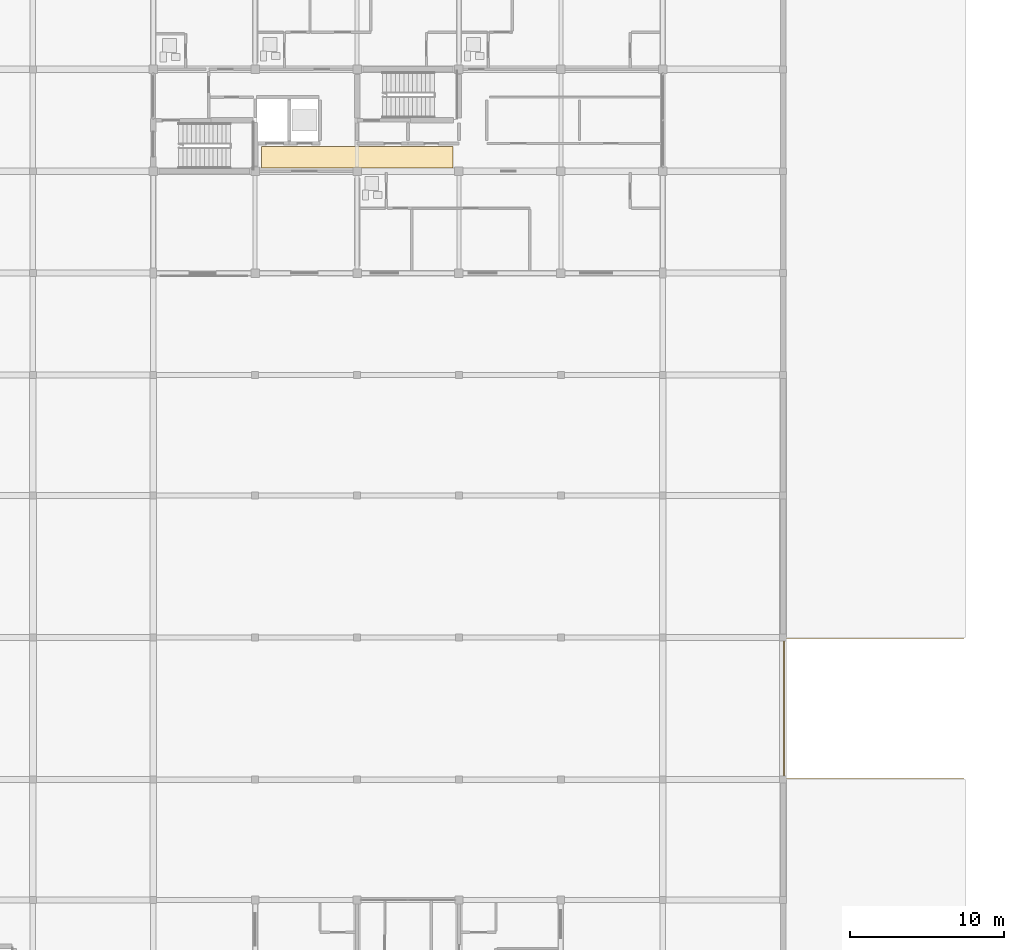
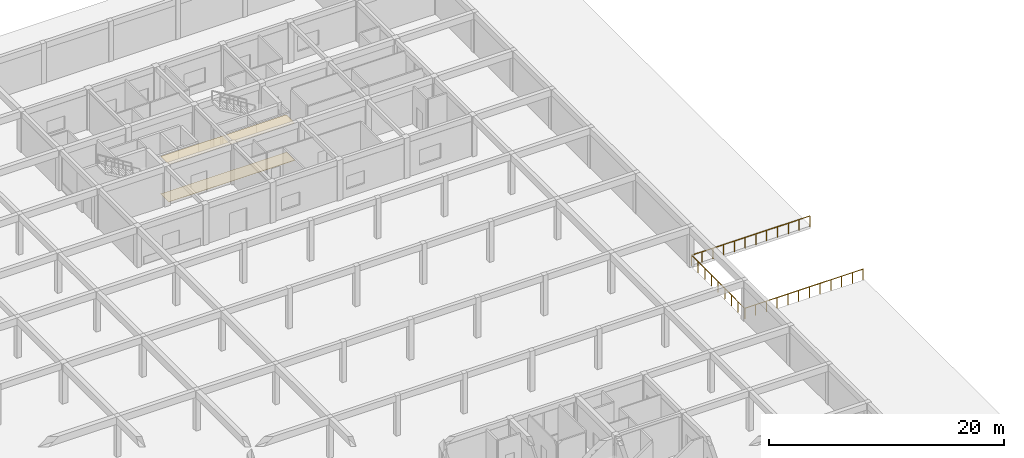
# One storey, part 72 of 75: 2 coverings, 1 railing.
"""IFC4 building model written with IfcOpenShell, lengths in metres."""

from ifc_helpers import new_model, si_unit, direction, frame, origin, origin_2d, place, context, subcontext, project, spatial, polyline, circle, outline, extrude, material, layer, layer_set, type_object, element, save


model = new_model("IFC4")

# Units and contexts
model_context = context("Model", 3, precision=1e-05, world=origin(), true_north=direction((0.0, 1.0)))
body_context = subcontext(model_context, "Body", "Model", "MODEL_VIEW")
ifc_project = project(units=[si_unit("LENGTHUNIT", "METRE"), si_unit("AREAUNIT", "SQUARE_METRE"), si_unit("VOLUMEUNIT", "CUBIC_METRE"), si_unit("PLANEANGLEUNIT", "RADIAN"), si_unit("MASSUNIT", "GRAM", prefix="KILO")], contexts=[model_context])

# Site, building, storey
site_placement = place(None, origin())
site = spatial("IfcSite", under=ifc_project, at=site_placement, CompositionType="ELEMENT")
building_placement = place(site_placement, origin())
building = spatial("IfcBuilding", under=site, at=building_placement, Name="Kernevlak Ridge Housing Community", CompositionType="ELEMENT")
storey_placement = place(building_placement, origin())
storey = spatial("IfcBuildingStorey", under=building, at=storey_placement, Name="L00", CompositionType="ELEMENT", Elevation=0.0)

# Coverings
ifc_material_1 = material(Name="Acoustic perforated gypsum ceiling board")
ifc_layer_1 = layer(ifc_material_1, 0.02001953125, Name="Acoustic perforated gypsum ceiling board")
ifc_layer_set_1 = layer_set([ifc_layer_1], Name="Acoustic perforated gypsum ceiling board")
covering_type_1 = type_object("IfcCoveringType", Name="CV-01", PredefinedType="CEILING", material=ifc_layer_set_1)
covering_1_placement = place(storey_placement, frame((0.0, 0.0, 3.89990234375)))
element("IfcCovering", 1, at=covering_1_placement, inside=storey, type_object=covering_type_1, Name="Block B L00 lobby acoustic ceiling", PredefinedType="CEILING", context=body_context, shape_type="SweptSolid", body=[
    extrude(outline(polyline([(126.39990234375, 89.39990234375), (138.800048828125, 89.39990234375), (138.800048828125, 90.800048828125), (126.39990234375, 90.800048828125), (126.39990234375, 89.39990234375)])), origin(), (0.0, 0.0, 1.0), 0.02001953125),
])
ifc_material_2 = material(Name="Polished pale terrazzo tile flooring")
ifc_layer_2 = layer(ifc_material_2, 0.02490234375, Name="Polished pale terrazzo tile flooring")
ifc_layer_set_2 = layer_set([ifc_layer_2], Name="Polished pale terrazzo tile flooring")
covering_type_2 = type_object("IfcCoveringType", Name="CV-02", PredefinedType="FLOORING", material=ifc_layer_set_2)
covering_2_placement = place(storey_placement, origin())
element("IfcCovering", 2, at=covering_2_placement, inside=storey, type_object=covering_type_2, Name="Block B L00 lobby terrazzo flooring", PredefinedType="FLOORING", context=body_context, shape_type="SweptSolid", body=[
    extrude(outline(polyline([(126.39990234375, 89.39990234375), (138.800048828125, 89.39990234375), (138.800048828125, 90.800048828125), (126.39990234375, 90.800048828125), (126.39990234375, 89.39990234375)])), origin(), (0.0, 0.0, 1.0), 0.02490234375),
])

# Railing
ifc_material_3 = material(Name="Steel S355", Category="steel")
railing_type = type_object("IfcRailingType", Name="GR-01", PredefinedType="GUARDRAIL", material=ifc_material_3)
railing_placement = place(storey_placement, frame((171.89990234375, 49.85009765625, 0.0)))
element("IfcRailing", 3, at=railing_placement, inside=storey, type_object=railing_type, Name="L00 east lightwell perimeter guard GR-01 58", PredefinedType="GUARDRAIL", context=body_context, shape_type="SweptSolid", body=[
    extrude(circle(Radius=0.02392578125, at=origin_2d()), frame((0.0, 0.0, 1.09619140625), z_axis=(-1.0, 0.0, 0.0), x_axis=(0.0, -1.0, 0.0)), (0.0, 0.0, 1.0), 11.64990234375),
    extrude(circle(Radius=0.02392578125, at=origin_2d()), frame((-11.64990234375, 0.0, 1.09619140625), z_axis=(0.0, 1.0, 0.0), x_axis=(-1.0, 0.0, 0.0)), (0.0, 0.0, 1.0), 9.099853515625),
    extrude(circle(Radius=0.02392578125, at=origin_2d()), frame((-11.64990234375, 9.099853515625, 1.09619140625), z_axis=(1.0, 0.0, 0.0), x_axis=(0.0, 1.0, 0.0)), (0.0, 0.0, 1.0), 11.64990234375),
    extrude(circle(Radius=0.02099609375, at=origin_2d()), origin(), (0.0, 0.0, 1.0), 1.072021484375),
    extrude(circle(Radius=0.02099609375, at=origin_2d()), frame((-1.05908203125, 0.0, 0.0)), (0.0, 0.0, 1.0), 1.072021484375),
    extrude(circle(Radius=0.02099609375, at=origin_2d()), frame((-2.1181640625, 0.0, 0.0)), (0.0, 0.0, 1.0), 1.072021484375),
    extrude(circle(Radius=0.02099609375, at=origin_2d()), frame((-3.17724609375, 0.0, 0.0)), (0.0, 0.0, 1.0), 1.072021484375),
    extrude(circle(Radius=0.02099609375, at=origin_2d()), frame((-4.236328125, 0.0, 0.0)), (0.0, 0.0, 1.0), 1.072021484375),
    extrude(circle(Radius=0.02099609375, at=origin_2d()), frame((-5.29541015625, 0.0, 0.0)), (0.0, 0.0, 1.0), 1.072021484375),
    extrude(circle(Radius=0.02099609375, at=origin_2d()), frame((-6.3544921875, 0.0, 0.0)), (0.0, 0.0, 1.0), 1.072021484375),
    extrude(circle(Radius=0.02099609375, at=origin_2d()), frame((-7.41357421875, 0.0, 0.0)), (0.0, 0.0, 1.0), 1.072021484375),
    extrude(circle(Radius=0.02099609375, at=origin_2d()), frame((-8.47265625, 0.0, 0.0)), (0.0, 0.0, 1.0), 1.072021484375),
    extrude(circle(Radius=0.02099609375, at=origin_2d()), frame((-9.53173828125, 0.0, 0.0)), (0.0, 0.0, 1.0), 1.072021484375),
    extrude(circle(Radius=0.02099609375, at=origin_2d()), frame((-10.5908203125, 0.0, 0.0)), (0.0, 0.0, 1.0), 1.072021484375),
    extrude(circle(Radius=0.02099609375, at=origin_2d()), frame((-11.64990234375, 0.0, 0.0)), (0.0, 0.0, 1.0), 1.072021484375),
    extrude(circle(Radius=0.02099609375, at=origin_2d()), frame((-11.64990234375, 1.137451171875, 0.0)), (0.0, 0.0, 1.0), 1.072021484375),
    extrude(circle(Radius=0.02099609375, at=origin_2d()), frame((-11.64990234375, 2.27490234375, 0.0)), (0.0, 0.0, 1.0), 1.072021484375),
    extrude(circle(Radius=0.02099609375, at=origin_2d()), frame((-11.64990234375, 3.412353515625, 0.0)), (0.0, 0.0, 1.0), 1.072021484375),
    extrude(circle(Radius=0.02099609375, at=origin_2d()), frame((-11.64990234375, 4.5498046875, 0.0)), (0.0, 0.0, 1.0), 1.072021484375),
    extrude(circle(Radius=0.02099609375, at=origin_2d()), frame((-11.64990234375, 5.6875, 0.0)), (0.0, 0.0, 1.0), 1.072021484375),
    extrude(circle(Radius=0.02099609375, at=origin_2d()), frame((-11.64990234375, 6.824951171875, 0.0)), (0.0, 0.0, 1.0), 1.072021484375),
    extrude(circle(Radius=0.02099609375, at=origin_2d()), frame((-11.64990234375, 7.96240234375, 0.0)), (0.0, 0.0, 1.0), 1.072021484375),
    extrude(circle(Radius=0.02099609375, at=origin_2d()), frame((-11.64990234375, 9.099853515625, 0.0)), (0.0, 0.0, 1.0), 1.072021484375),
    extrude(circle(Radius=0.02099609375, at=origin_2d()), frame((-10.5908203125, 9.099853515625, 0.0)), (0.0, 0.0, 1.0), 1.072021484375),
    extrude(circle(Radius=0.02099609375, at=origin_2d()), frame((-9.53173828125, 9.099853515625, 0.0)), (0.0, 0.0, 1.0), 1.072021484375),
    extrude(circle(Radius=0.02099609375, at=origin_2d()), frame((-8.47265625, 9.099853515625, 0.0)), (0.0, 0.0, 1.0), 1.072021484375),
    extrude(circle(Radius=0.02099609375, at=origin_2d()), frame((-7.41357421875, 9.099853515625, 0.0)), (0.0, 0.0, 1.0), 1.072021484375),
    extrude(circle(Radius=0.02099609375, at=origin_2d()), frame((-6.3544921875, 9.099853515625, 0.0)), (0.0, 0.0, 1.0), 1.072021484375),
    extrude(circle(Radius=0.02099609375, at=origin_2d()), frame((-5.29541015625, 9.099853515625, 0.0)), (0.0, 0.0, 1.0), 1.072021484375),
    extrude(circle(Radius=0.02099609375, at=origin_2d()), frame((-4.236328125, 9.099853515625, 0.0)), (0.0, 0.0, 1.0), 1.072021484375),
    extrude(circle(Radius=0.02099609375, at=origin_2d()), frame((-3.17724609375, 9.099853515625, 0.0)), (0.0, 0.0, 1.0), 1.072021484375),
    extrude(circle(Radius=0.02099609375, at=origin_2d()), frame((-2.1181640625, 9.099853515625, 0.0)), (0.0, 0.0, 1.0), 1.072021484375),
    extrude(circle(Radius=0.02099609375, at=origin_2d()), frame((-1.05908203125, 9.099853515625, 0.0)), (0.0, 0.0, 1.0), 1.072021484375),
    extrude(circle(Radius=0.02099609375, at=origin_2d()), frame((0.0, 9.099853515625, 0.0)), (0.0, 0.0, 1.0), 1.072021484375),
])

save(model, "model.ifc")
